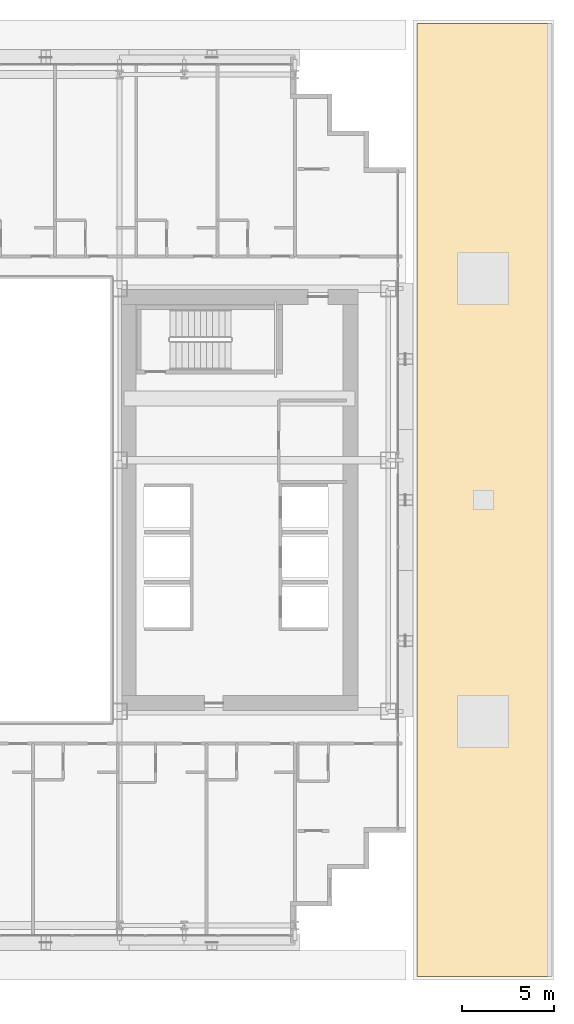
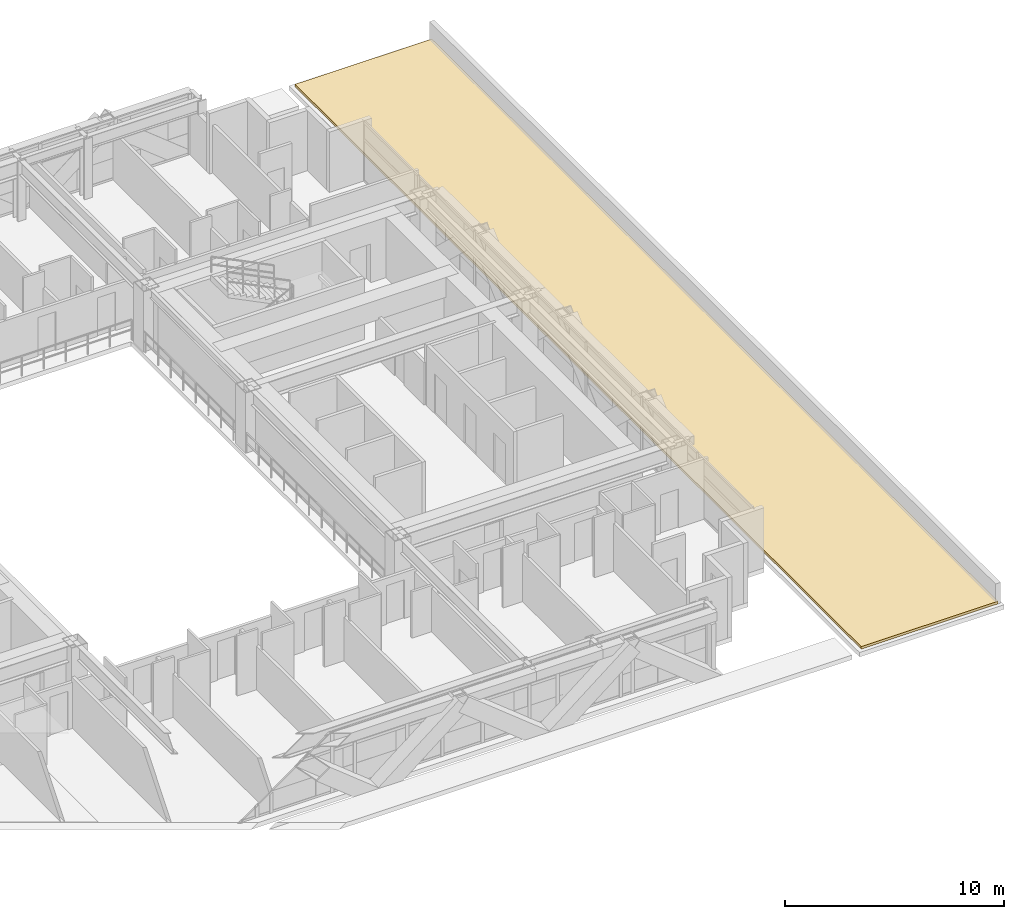
# One storey, part 34 of 35: 1 covering.
"""IFC4 building model written with IfcOpenShell, lengths in metres."""

from ifc_helpers import new_model, si_unit, direction, frame, origin, place, context, subcontext, project, spatial, polyline, outline, extrude, material, layer, layer_set, type_object, element, save


model = new_model("IFC4")

# Units and contexts
model_context = context("Model", 3, precision=1e-05, world=origin(), true_north=direction((0.0, 1.0)))
body_context = subcontext(model_context, "Body", "Model", "MODEL_VIEW")
ifc_project = project(units=[si_unit("LENGTHUNIT", "METRE"), si_unit("AREAUNIT", "SQUARE_METRE"), si_unit("VOLUMEUNIT", "CUBIC_METRE"), si_unit("PLANEANGLEUNIT", "RADIAN"), si_unit("MASSUNIT", "GRAM", prefix="KILO")], contexts=[model_context])

# Site, building, storey
site_placement = place(None, origin())
site = spatial("IfcSite", under=ifc_project, at=site_placement, CompositionType="ELEMENT")
building_placement = place(site_placement, origin())
building = spatial("IfcBuilding", under=site, at=building_placement, Name="Ocotamira Hotel", CompositionType="ELEMENT")
storey_placement = place(building_placement, frame((0.0, 0.0, 34.800048828125)))
storey = spatial("IfcBuildingStorey", under=building, at=storey_placement, Name="L07", CompositionType="ELEMENT", Elevation=34.800048828125)

# Covering
ifc_material = material(Name="High-albedo cool-roof elastomeric membrane and polyiso insulation", Category="concrete")
ifc_layer = layer(ifc_material, 0.139892578125)
ifc_layer_set = layer_set([ifc_layer], Name="High-albedo cool-roof elastomeric membrane and polyiso insulation")
covering_type = type_object("IfcCoveringType", Name="COV-ROOF-140", PredefinedType="ROOFING", material=ifc_layer_set)
covering_placement = place(storey_placement, origin())
element("IfcCovering", 1, at=covering_placement, inside=storey, type_object=covering_type, Name="L07 Cool-Roof Membrane PODE", PredefinedType="ROOFING", context=body_context, shape_type="SweptSolid", body=[
    extrude(outline(polyline([(56.60009765625, 0.199951171875), (63.800048828125, 0.199951171875), (63.800048828125, 51.800048828125), (56.60009765625, 51.800048828125), (56.60009765625, 0.199951171875)])), origin(), (0.0, 0.0, 1.0), 0.139892578125),
])

save(model, "model.ifc")
